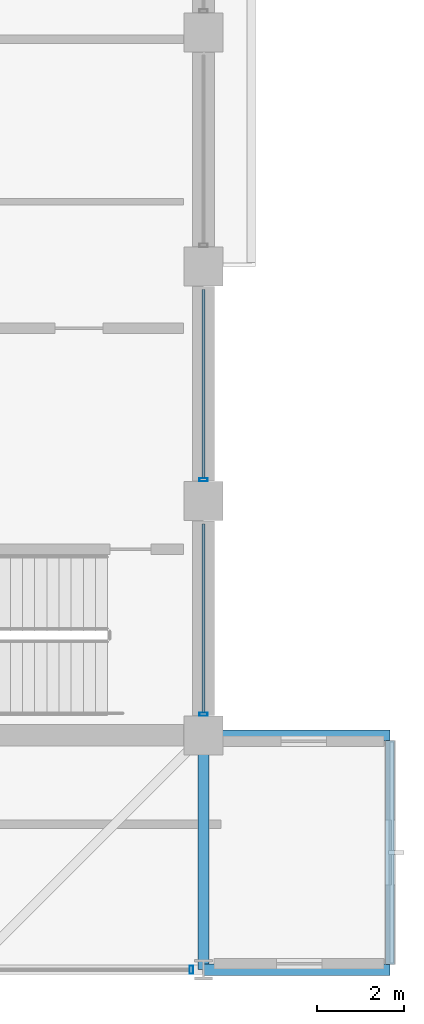
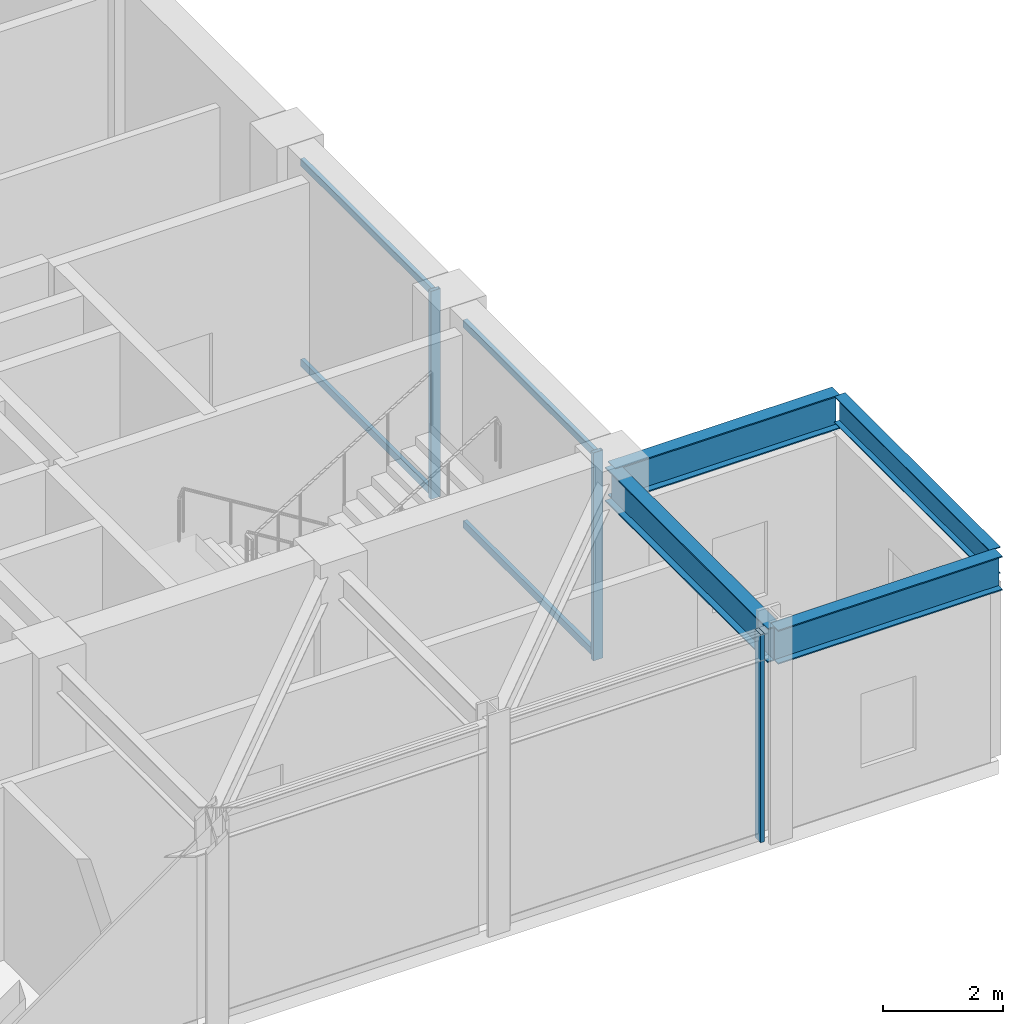
# One storey, part 8 of 22: 7 members, 4 beams, 2 elements without a shape of their own.
"""IFC4 building model written with IfcOpenShell, lengths in metres."""

from ifc_helpers import new_model, si_unit, direction, frame, origin, origin_2d, place, context, subcontext, project, spatial, hollow_rectangle, i_section, extrude, material, layer, layer_set, material_profile, profile_set, type_object, element, aggregate, save


model = new_model("IFC4")

# Units and contexts
model_context = context("Model", 3, precision=1e-05, world=origin(), true_north=direction((0.0, 1.0)))
body_context = subcontext(model_context, "Body", "Model", "MODEL_VIEW")
ifc_project = project(units=[si_unit("LENGTHUNIT", "METRE"), si_unit("AREAUNIT", "SQUARE_METRE"), si_unit("VOLUMEUNIT", "CUBIC_METRE"), si_unit("PLANEANGLEUNIT", "RADIAN"), si_unit("MASSUNIT", "GRAM", prefix="KILO")], contexts=[model_context])

# Site, building, storey
site_placement = place(None, origin())
site = spatial("IfcSite", under=ifc_project, at=site_placement, CompositionType="ELEMENT")
building_placement = place(site_placement, origin())
building = spatial("IfcBuilding", under=site, at=building_placement, Name="Surkhivell Harbour Commons", CompositionType="ELEMENT")
storey_placement = place(building_placement, frame((0.0, 0.0, 342.0)))
storey = spatial("IfcBuildingStorey", under=building, at=storey_placement, Name="L89", CompositionType="ELEMENT", Elevation=342.0)

# Beams
ifc_material_1 = material(Name="Steel S460", Category="steel")
ifc_material_profile_1 = material_profile(ifc_material_1, i_section(OverallWidth=0.256103515625, OverallDepth=0.693115234375, WebThickness=0.014404296875, FlangeThickness=0.023681640625, at=origin_2d()), Name="UB686x254x170")
ifc_profile_set_1 = profile_set([ifc_material_profile_1], Name="Steel S460")
beam_type_1 = type_object("IfcBeamType", Name="BM-CNT-686", PredefinedType="BEAM", material=ifc_profile_set_1)
for number, where, z_axis, x_axis, name in (
    (1, (10.800048828125, -16.199951171875, 3.87353515625), (1.0, 0.0, 0.0), (0.0, 1.0, 0.0), "L89 Box Cantilever Outrigger (10.8,-16.2)"),
    (2, (10.800048828125, -10.800048828125, 3.87353515625), (1.0, 0.0, 0.0), (0.0, 1.0, 0.0), "L89 Box Cantilever Outrigger (10.8,-10.8)"),
):
    element("IfcBeam", number, at=place(storey_placement, frame(where, z_axis=z_axis, x_axis=x_axis)), inside=storey, type_object=beam_type_1, Name=name, PredefinedType="BEAM", context=body_context, shape_type="SweptSolid", body=[
        extrude(i_section(OverallWidth=0.256103515625, OverallDepth=0.693115234375, WebThickness=0.014404296875, FlangeThickness=0.023681640625, at=origin_2d()), origin(), (0.0, 0.0, 1.0), 4.300048828125),
    ])
ifc_material_2 = material(Name="Steel S355", Category="steel")
ifc_material_profile_2 = material_profile(ifc_material_2, i_section(OverallWidth=0.2099609375, OverallDepth=0.537109375, WebThickness=0.0107421875, FlangeThickness=0.017333984375, at=origin_2d()), Name="UB533x210x101")
ifc_profile_set_2 = profile_set([ifc_material_profile_2], Name="Steel S355")
beam_type_2 = type_object("IfcBeamType", Name="BM-GRD-533B", PredefinedType="BEAM", material=ifc_profile_set_2)
beam_1_placement = place(storey_placement, frame((15.10009765625, -16.077880859375, 3.951416015625), z_axis=(0.0, 1.0, 0.0), x_axis=(-1.0, 0.0, 0.0)))
element("IfcBeam", 3, at=beam_1_placement, inside=storey, type_object=beam_type_2, Name="L89 Box Rim Spandrel (15.1,-16.2)", PredefinedType="BEAM", context=body_context, shape_type="SweptSolid", body=[
    extrude(i_section(OverallWidth=0.2099609375, OverallDepth=0.537109375, WebThickness=0.0107421875, FlangeThickness=0.017333984375, at=origin_2d()), origin(), (0.0, 0.0, 1.0), 5.15576171875),
])
ifc_material_profile_3 = material_profile(ifc_material_2, i_section(OverallWidth=0.256103515625, OverallDepth=0.693115234375, WebThickness=0.014404296875, FlangeThickness=0.023681640625, at=origin_2d()), Name="UB686x254x170")
ifc_profile_set_3 = profile_set([ifc_material_profile_3], Name="Steel S355")
beam_type_3 = type_object("IfcBeamType", Name="BM-SPN-686", PredefinedType="SPANDREL", material=ifc_profile_set_3)
beam_2_placement = place(storey_placement, frame((10.800048828125, -16.199951171875, 3.87353515625), z_axis=(0.0, 1.0, 0.0), x_axis=(-1.0, 0.0, 0.0)))
element("IfcBeam", 4, at=beam_2_placement, inside=storey, type_object=beam_type_3, Name="L89 Tube Spandrel (10.8,-16.2)", PredefinedType="SPANDREL", context=body_context, shape_type="SweptSolid", body=[
    extrude(i_section(OverallWidth=0.256103515625, OverallDepth=0.693115234375, WebThickness=0.014404296875, FlangeThickness=0.023681640625, at=origin_2d()), origin(), (0.0, 0.0, 1.0), 5.39990234375),
])

# Curtain wall, member
ifc_material_3 = material(Name="Anodised pale-metal aluminium and insulated glazing", Category="aluminium")
ifc_layer = layer(ifc_material_3, 0.22998046875)
ifc_layer_set = layer_set([ifc_layer], Name="Anodised pale-metal aluminium and insulated glazing")
curtain_wall_type = type_object("IfcCurtainWallType", Name="CW-SYS-CRN", PredefinedType="NOTDEFINED", material=ifc_layer_set)
curtain_wall_1_placement = place(storey_placement, origin())
curtain_wall_1 = element("IfcCurtainWall", 5, at=curtain_wall_1_placement, inside=storey, type_object=curtain_wall_type, Name="L89 Curtain Wall CW-L89-C03", PredefinedType="NOTDEFINED")
ifc_material_4 = material(Name="Anodised pale-metal aluminium alloy 6063-T6", Category="aluminium")
ifc_material_profile_4 = material_profile(ifc_material_4, hollow_rectangle(XDim=0.074951171875, YDim=0.18994140625, WallThickness=0.00390625, at=origin_2d()), Name="ALU-MULL-75x190")
ifc_profile_set_4 = profile_set([ifc_material_profile_4], Name="Anodised pale-metal aluminium alloy 6063-T6")
member_type_1 = type_object("IfcMemberType", Name="CWM-190", PredefinedType="MULLION", material=ifc_profile_set_4)
member_1_placement = place(storey_placement, frame((10.5205078125, -16.199951171875, 0.0), z_axis=(0.0, 0.0, 1.0), x_axis=(1.0, 0.0, 0.0)))
member_1 = element("IfcMember", 6, at=member_1_placement, type_object=member_type_1, Name="CW-CRN mullion 7", PredefinedType="MULLION", context=body_context, shape_type="SweptSolid", body=[
    extrude(hollow_rectangle(XDim=0.074951171875, YDim=0.18994140625, WallThickness=0.00390625, at=origin_2d()), origin(), (0.0, 0.0, 1.0), 4.219970703125),
])
aggregate(curtain_wall_1, [member_1])

# Curtain wall, members
curtain_wall_2_placement = place(storey_placement, origin())
curtain_wall_2 = element("IfcCurtainWall", 7, at=curtain_wall_2_placement, inside=storey, type_object=curtain_wall_type, Name="L89 Curtain Wall CW-L89-C04S1", PredefinedType="NOTDEFINED")
member_2_placement = place(storey_placement, frame((10.800048828125, -10.310546875, 0.0), z_axis=(0.0, 0.0, 1.0), x_axis=(0.0, 1.0, 0.0)))
member_2 = element("IfcMember", 8, at=member_2_placement, type_object=member_type_1, Name="CW-CRN mullion 1", PredefinedType="MULLION", context=body_context, shape_type="SweptSolid", body=[
    extrude(hollow_rectangle(XDim=0.074951171875, YDim=0.18994140625, WallThickness=0.00390625, at=origin_2d()), origin(), (0.0, 0.0, 1.0), 4.219970703125),
])
member_3_placement = place(storey_placement, frame((10.800048828125, -4.910400390625, 0.0), z_axis=(0.0, 0.0, 1.0), x_axis=(0.0, 1.0, 0.0)))
member_3 = element("IfcMember", 9, at=member_3_placement, type_object=member_type_1, Name="CW-CRN mullion 2", PredefinedType="MULLION", context=body_context, shape_type="SweptSolid", body=[
    extrude(hollow_rectangle(XDim=0.074951171875, YDim=0.18994140625, WallThickness=0.00390625, at=origin_2d()), origin(), (0.0, 0.0, 1.0), 4.219970703125),
])
ifc_material_profile_5 = material_profile(ifc_material_4, hollow_rectangle(XDim=0.074951171875, YDim=0.14990234375, WallThickness=0.00341796875, at=origin_2d()), Name="ALU-TRAN-75x150")
ifc_profile_set_5 = profile_set([ifc_material_profile_5], Name="Anodised pale-metal aluminium alloy 6063-T6")
member_type_2 = type_object("IfcMemberType", Name="CWT-150", PredefinedType="USERDEFINED", material=ifc_profile_set_5)
member_4_placement = place(storey_placement, frame((10.800048828125, -10.27294921875, 0.074951171875), z_axis=(0.0, 1.0, 0.0), x_axis=(-1.0, 0.0, 0.0)))
member_4 = element("IfcMember", 10, at=member_4_placement, type_object=member_type_2, Name="CW-CRN transom 1.1", ObjectType="TRANSOM", PredefinedType="USERDEFINED", context=body_context, shape_type="SweptSolid", body=[
    extrude(hollow_rectangle(XDim=0.074951171875, YDim=0.14990234375, WallThickness=0.00341796875, at=origin_2d()), origin(), (0.0, 0.0, 1.0), 4.345947265625),
])
member_5_placement = place(storey_placement, frame((10.800048828125, -10.27294921875, 4.14501953125), z_axis=(0.0, 1.0, 0.0), x_axis=(-1.0, 0.0, 0.0)))
member_5 = element("IfcMember", 11, at=member_5_placement, type_object=member_type_2, Name="CW-CRN transom 1.2", ObjectType="TRANSOM", PredefinedType="USERDEFINED", context=body_context, shape_type="SweptSolid", body=[
    extrude(hollow_rectangle(XDim=0.074951171875, YDim=0.14990234375, WallThickness=0.00341796875, at=origin_2d()), origin(), (0.0, 0.0, 1.0), 4.345947265625),
])
member_6_placement = place(storey_placement, frame((10.800048828125, -4.873046875, 0.074951171875), z_axis=(0.0, 1.0, 0.0), x_axis=(-1.0, 0.0, 0.0)))
member_6 = element("IfcMember", 12, at=member_6_placement, type_object=member_type_2, Name="CW-CRN transom 2.1", ObjectType="TRANSOM", PredefinedType="USERDEFINED", context=body_context, shape_type="SweptSolid", body=[
    extrude(hollow_rectangle(XDim=0.074951171875, YDim=0.14990234375, WallThickness=0.00341796875, at=origin_2d()), origin(), (0.0, 0.0, 1.0), 4.345947265625),
])
member_7_placement = place(storey_placement, frame((10.800048828125, -4.873046875, 4.14501953125), z_axis=(0.0, 1.0, 0.0), x_axis=(-1.0, 0.0, 0.0)))
member_7 = element("IfcMember", 13, at=member_7_placement, type_object=member_type_2, Name="CW-CRN transom 2.2", ObjectType="TRANSOM", PredefinedType="USERDEFINED", context=body_context, shape_type="SweptSolid", body=[
    extrude(hollow_rectangle(XDim=0.074951171875, YDim=0.14990234375, WallThickness=0.00341796875, at=origin_2d()), origin(), (0.0, 0.0, 1.0), 4.345947265625),
])
aggregate(curtain_wall_2, [member_2, member_4, member_5, member_3, member_6, member_7])

save(model, "model.ifc")
